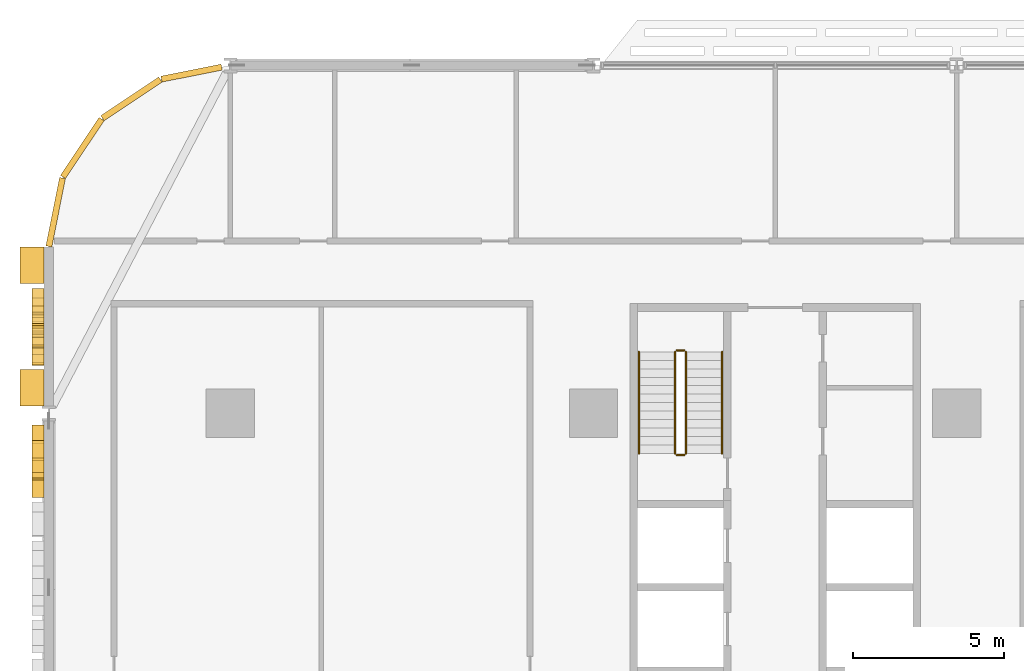
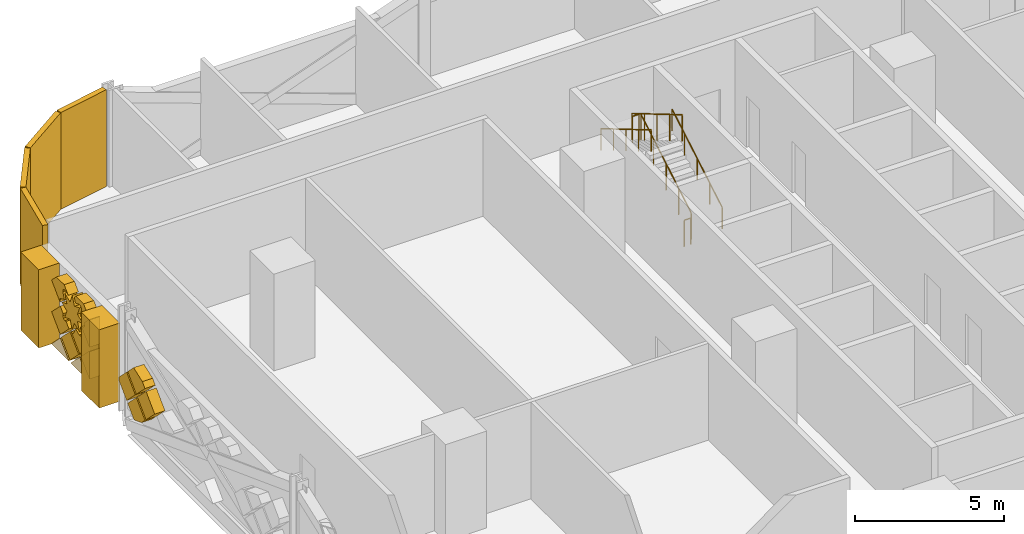
# One storey, part 24 of 28: 20 coverings, 6 railings.
"""IFC4 building model written with IfcOpenShell, lengths in metres."""

from ifc_helpers import new_model, si_unit, direction, frame, origin, origin_2d, place, context, subcontext, project, spatial, polyline, rectangle, circle, outline, extrude, material, layer, layer_set, type_object, element, save


model = new_model("IFC4")

# Units and contexts
model_context = context("Model", 3, precision=1e-05, world=origin(), true_north=direction((0.0, 1.0)))
body_context = subcontext(model_context, "Body", "Model", "MODEL_VIEW")
ifc_project = project(units=[si_unit("LENGTHUNIT", "METRE"), si_unit("AREAUNIT", "SQUARE_METRE"), si_unit("VOLUMEUNIT", "CUBIC_METRE"), si_unit("PLANEANGLEUNIT", "RADIAN"), si_unit("MASSUNIT", "GRAM", prefix="KILO")], contexts=[model_context])

# Site, building, storey
site_placement = place(None, origin())
site = spatial("IfcSite", under=ifc_project, at=site_placement, CompositionType="ELEMENT")
building_placement = place(site_placement, origin())
building = spatial("IfcBuilding", under=site, at=building_placement, Name="Mahtab Terrace Research Tower", CompositionType="ELEMENT")
storey_placement = place(building_placement, frame((0.0, 0.0, 33.0)))
storey = spatial("IfcBuildingStorey", under=building, at=storey_placement, Name="L07", CompositionType="ELEMENT", Elevation=33.0)

# Coverings
ifc_material_1 = material(Name="Black aluminium cladding panel", Category="aluminium")
ifc_layer_1 = layer(ifc_material_1, 0.199951171875)
ifc_layer_set_1 = layer_set([ifc_layer_1], Name="Black metal corner cladding 200")
covering_type_1 = type_object("IfcCoveringType", Name="Black metal corner cladding 200", PredefinedType="CLADDING", material=ifc_layer_set_1)
covering_1_placement = place(storey_placement, frame((-43.28173828125, 22.744873046875, 0.0), z_axis=(0.0, 0.0, 1.0), x_axis=(-0.980760981187, -0.195212442692, 0.0)))
element("IfcCovering", 1, at=covering_1_placement, inside=storey, type_object=covering_type_1, Name="Corner cladding L07 10", PredefinedType="CLADDING", context=body_context, shape_type="SweptSolid", body=[
    extrude(rectangle(XDim=2.0283203125, YDim=0.199951171875, at=origin_2d()), origin(), (0.0, 0.0, 1.0), 3.9599609375),
])
for number, where, z_axis, x_axis, name in (
    (2, (-45.26953125, 21.89306640625, 0.0), (0.0, 0.0, 1.0), (-0.831655794326, -0.555291490808, 0.0), "Corner cladding L07 11"),
    (3, (-46.89306640625, 20.26953125, 0.0), (0.0, 0.0, 1.0), (-0.555291490808, -0.831655794326, 0.0), "Corner cladding L07 12"),
    (4, (-47.771484375, 18.14794921875, 0.0), (0.0, 0.0, 1.0), (-0.195212442692, -0.980760981187, 0.0), "Corner cladding L07 13"),
):
    element("IfcCovering", number, at=place(storey_placement, frame(where, z_axis=z_axis, x_axis=x_axis)), inside=storey, type_object=covering_type_1, Name=name, PredefinedType="CLADDING", context=body_context, shape_type="SweptSolid", body=[
        extrude(rectangle(XDim=2.30126953125, YDim=0.199951171875, at=origin_2d()), origin(), (0.0, 0.0, 1.0), 3.9599609375),
    ])
ifc_material_2 = material(Name="Bronze anodised aluminium", Category="aluminium")
ifc_layer_2 = layer(ifc_material_2, 0.39990234375)
ifc_layer_set_2 = layer_set([ifc_layer_2], Name="Mashrabiya relief panel 400")
covering_type_2 = type_object("IfcCoveringType", Name="Mashrabiya relief panel 400", PredefinedType="CLADDING", material=ifc_layer_set_2)
covering_2_placement = place(storey_placement, frame((-48.14990234375, 14.10498046875, 2.60107421875), z_axis=(1.0, 0.0, 0.0), x_axis=(0.0, -0.924784909208, 0.380490304346)))
element("IfcCovering", 5, at=covering_2_placement, inside=storey, type_object=covering_type_2, Name="Girih star panel L07 W14.1", PredefinedType="CLADDING", context=body_context, shape_type="SweptSolid", body=[
    extrude(outline(polyline([(0.0, 0.0), (0.3785719822676483, 0.0), (0.11215445471266995, 0.26895807623038387), (0.37961207055159285, 0.5358142483447127), (0.0017974035497291263, 0.5371818243111587), (0.0017974035497291263, 0.9157538065788071), (-0.26716067268065474, 0.6493362790238286), (-0.5340168447949836, 0.9167938948627515), (-0.5353844207614296, 0.5389792278608878), (-0.9139564030290779, 0.5389792278608878), (-0.6475388754740995, 0.270021151630504), (-0.9149964913130224, 0.0031649795161750593), (-0.5371818243111587, 0.0017974035497291263), (-0.5371818243111587, -0.3767745787179192), (-0.2682237480807748, -0.11035705116294083), (-0.0013675759664459608, -0.3778146670018637), (0.0, 0.0)])), origin(), (0.0, 0.0, -1.0), 0.39990234375),
])
covering_3_placement = place(storey_placement, frame((-48.14990234375, 15.6298828125, 0.14990234375), z_axis=(1.0, 0.0, 0.0), x_axis=(0.0, -0.706957932274, 0.707255598772)))
element("IfcCovering", 6, at=covering_3_placement, inside=storey, type_object=covering_type_2, Name="Mashrabiya lattice cell L07 W14.2", PredefinedType="CLADDING", context=body_context, shape_type="SweptSolid", body=[
    extrude(outline(polyline([(0.0, 0.0), (0.8201817362875763, 0.0), (0.8200090664636573, 0.8203543334390104), (0.7987751838156829, 0.8201772305935179), (-4.43302157367674e-06, 0.021061285496540252), (0.0, 0.0)])), origin(), (0.0, 0.0, -1.0), 0.39990234375),
])
covering_4_placement = place(storey_placement, frame((-48.14990234375, 14.469970703125, 1.449951171875), z_axis=(1.0, 0.0, 0.0), x_axis=(0.0, 0.707255598772, -0.706957932274)))
element("IfcCovering", 7, at=covering_4_placement, inside=storey, type_object=covering_type_2, Name="Mashrabiya lattice cell L07 W14.3", PredefinedType="CLADDING", context=body_context, shape_type="SweptSolid", body=[
    extrude(outline(polyline([(0.0, 0.0), (0.8201817362875763, 0.0), (0.8203543334390104, 0.8200090664636573), (0.00017266982391900276, 0.8203543334390104), (0.00011518588843079103, 0.5472481559346933), (0.08417653916049625, 0.4942319794679374), (0.11402400074357985, 0.4080815829473978), (0.08206910977336403, 0.3240157966537586), (5.7483935488156224e-05, 0.27310617750431704), (0.0, 0.0)])), origin(), (0.0, 0.0, -1.0), 0.39990234375),
])
covering_5_placement = place(storey_placement, frame((-48.14990234375, 15.6298828125, 2.75), z_axis=(1.0, 0.0, 0.0), x_axis=(0.0, -0.706835286964, 0.707378171209)))
element("IfcCovering", 8, at=covering_5_placement, inside=storey, type_object=covering_type_2, Name="Mashrabiya lattice cell L07 W14.4", PredefinedType="CLADDING", context=body_context, shape_type="SweptSolid", body=[
    extrude(outline(polyline([(0.0, 0.0), (0.44971027849414613, 0.0), (0.8200395084317461, 0.3706136609897794), (0.819892388921998, 0.7538599838832514), (0.7272681987663545, 0.5454557879782264), (0.6751481302859101, 0.5057300743037028), (0.619909790899303, 0.4943150582883476), (0.5568922754895989, 0.5106910502044836), (0.510955732781931, 0.5524507242362976), (0.40330905019983293, 0.802555348748941), (0.12903401563658623, 0.6993878588082236), (0.05047683633462874, 0.722663225571144), (-0.0004755538747529542, 0.7891075652371851), (0.0, 0.0)])), origin(), (0.0, 0.0, -1.0), 0.39990234375),
])
covering_6_placement = place(storey_placement, frame((-48.14990234375, 14.39990234375, 1.3798828125), z_axis=(1.0, 0.0, 0.0), x_axis=(0.0, -0.707106781187, -0.707106781187)))
element("IfcCovering", 9, at=covering_6_placement, inside=storey, type_object=covering_type_2, Name="Mashrabiya lattice cell L07 W14.5", PredefinedType="CLADDING", context=body_context, shape_type="SweptSolid", body=[
    extrude(outline(polyline([(0.0, 0.0), (0.8200090846279543, 0.0), (0.820181718119455, 0.820181718119455), (-0.0001726334915006511, 0.820181718119455), (0.0, 0.0)])), origin(), (0.0, 0.0, -1.0), 0.39990234375),
])
covering_7_placement = place(storey_placement, frame((-48.14990234375, 14.330078125, 0.14990234375), z_axis=(1.0, 0.0, 0.0), x_axis=(0.0, -0.707106781187, 0.707106781187)))
element("IfcCovering", 10, at=covering_7_placement, inside=storey, type_object=covering_type_2, Name="Mashrabiya lattice cell L07 W14.6", PredefinedType="CLADDING", context=body_context, shape_type="SweptSolid", body=[
    extrude(outline(polyline([(0.0, 0.0), (0.8203543516109556, 0.0), (0.8203543516109556, 0.8203543516109556), (0.7991204321563791, 0.820181718119455), (0.00017263349150062335, 0.021233919454576502), (0.0, 0.0)])), origin(), (0.0, 0.0, -1.0), 0.39990234375),
])
covering_8_placement = place(storey_placement, frame((-48.14990234375, 13.169921875, 1.449951171875), z_axis=(1.0, 0.0, 0.0), x_axis=(0.0, 0.707255598772, -0.706957932274)))
element("IfcCovering", 11, at=covering_8_placement, inside=storey, type_object=covering_type_2, Name="Mashrabiya lattice cell L07 W14.7", PredefinedType="CLADDING", context=body_context, shape_type="SweptSolid", body=[
    extrude(outline(polyline([(0.0, 0.0), (0.8201817362875763, 0.0), (0.8205204627392961, 0.7891076358333108), (0.7695795944213842, 0.7226544622693455), (0.6910264521358248, 0.6993654744233052), (0.4167335329544889, 0.8024854048553962), (0.3091302189167444, 0.5523621186910813), (0.26043849133135283, 0.5092139935923002), (0.2001862428791442, 0.4942075615130398), (0.13579711322887691, 0.5092402283593183), (0.09281896907207673, 0.5453296750080786), (0.00015864403434978636, 0.7537178071958586), (0.0, 0.0)])), origin(), (0.0, 0.0, -1.0), 0.39990234375),
])
covering_9_placement = place(storey_placement, frame((-48.14990234375, 13.169921875, 2.75), z_axis=(1.0, 0.0, 0.0), x_axis=(0.0, 0.707106781187, -0.707106781187)))
element("IfcCovering", 12, at=covering_9_placement, inside=storey, type_object=covering_type_2, Name="Mashrabiya lattice cell L07 W14.8", PredefinedType="CLADDING", context=body_context, shape_type="SweptSolid", body=[
    extrude(outline(polyline([(0.0, 0.0), (0.5106498678588398, 0.0), (0.5904065409321271, 0.1916231755656904), (0.3402606117477259, 0.29917384077057785), (0.29710223887257037, 0.34785648537375324), (0.2820831251120163, 0.4122487777034852), (0.2971022388725704, 0.4724978662372023), (0.34026061174772587, 0.5211805108403778), (0.5904065409321271, 0.6287311760452652), (0.5106498678588398, 0.8203543516109555), (0.37047147276033476, 0.8203543516109556), (0.0, 0.44988287885062084), (0.0, 0.0)])), origin(), (0.0, 0.0, -1.0), 0.39990234375),
])
covering_10_placement = place(storey_placement, frame((-48.14990234375, 13.10009765625, 0.219970703125), z_axis=(1.0, 0.0, 0.0), x_axis=(0.0, 0.706957932274, 0.707255598772)))
element("IfcCovering", 13, at=covering_10_placement, inside=storey, type_object=covering_type_2, Name="Mashrabiya lattice cell L07 W14.9", PredefinedType="CLADDING", context=body_context, shape_type="SweptSolid", body=[
    extrude(outline(polyline([(0.0, 0.0), (0.8201817362875763, 0.0), (0.8203543334390104, 0.8200090664636573), (0.7977393828896235, 0.8201864599990892), (4.796383997748149e-06, 0.022787620373305846), (0.0, 0.0)])), origin(), (0.0, 0.0, -1.0), 0.39990234375),
])
covering_11_placement = place(storey_placement, frame((-48.14990234375, 13.10009765625, 1.52001953125), z_axis=(1.0, 0.0, 0.0), x_axis=(0.0, 0.707106781187, 0.707106781187)))
element("IfcCovering", 14, at=covering_11_placement, inside=storey, type_object=covering_type_2, Name="Mashrabiya lattice cell L07 W14.10", PredefinedType="CLADDING", context=body_context, shape_type="SweptSolid", body=[
    extrude(outline(polyline([(0.0, 0.0), (0.7692548381267715, 0.0), (0.705553079763042, 0.15692384377406537), (0.7000288080350221, 0.20940442519025443), (0.737490275690657, 0.2920958676190523), (0.820181718119455, 0.3323194711386973), (0.820181718119455, 0.820181718119455), (0.7975667307328734, 0.8203543516109556), (-0.00017263349150062161, 0.022614987386581478), (0.0, 0.0)])), origin(), (0.0, 0.0, -1.0), 0.39990234375),
])
covering_12_placement = place(storey_placement, frame((-48.14990234375, 10.60107421875, 2.030029296875), z_axis=(1.0, 0.0, 0.0), x_axis=(0.0, -0.707106781187, -0.707106781187)))
element("IfcCovering", 15, at=covering_12_placement, inside=storey, type_object=covering_type_2, Name="Mashrabiya lattice cell L07 W15.1", PredefinedType="CLADDING", context=body_context, shape_type="SweptSolid", body=[
    extrude(outline(polyline([(0.0, 0.0), (0.8203543516109556, 0.0), (0.820181718119455, 0.820181718119455), (0.0920136509698315, 0.820181718119455), (0.0001726334915005956, 0.728340700641124), (0.0, 0.0)])), origin(), (0.0, 0.0, -1.0), 0.39990234375),
])
covering_13_placement = place(storey_placement, frame((-48.14990234375, 10.531005859375, 0.800048828125), z_axis=(1.0, 0.0, 0.0), x_axis=(0.0, -0.707255598772, 0.706957932274)))
element("IfcCovering", 16, at=covering_13_placement, inside=storey, type_object=covering_type_2, Name="Mashrabiya lattice cell L07 W15.2", PredefinedType="CLADDING", context=body_context, shape_type="SweptSolid", body=[
    extrude(outline(polyline([(0.0, 0.0), (0.8201817362875763, 0.0), (0.8203543334390104, 0.8200090664636573), (0.4866538380964635, 0.820251937907907), (0.00012594141618332833, 0.5983476682869551), (0.0, 0.0)])), origin(), (0.0, 0.0, -1.0), 0.39990234375),
])
covering_14_placement = place(storey_placement, frame((-48.14990234375, 9.37109375, 2.10009765625), z_axis=(1.0, 0.0, 0.0), x_axis=(0.0, 0.706957932274, -0.707255598772)))
element("IfcCovering", 17, at=covering_14_placement, inside=storey, type_object=covering_type_2, Name="Mashrabiya lattice cell L07 W15.3", PredefinedType="CLADDING", context=body_context, shape_type="SweptSolid", body=[
    extrude(outline(polyline([(0.0, 0.0), (0.8201817362875763, 0.0), (0.8200090664636573, 0.8203543334390104), (0.2599860324408986, 0.8202364586686415), (-5.268755149043236e-05, 0.25031855713101114), (0.0, 0.0)])), origin(), (0.0, 0.0, -1.0), 0.39990234375),
])
covering_15_placement = place(storey_placement, frame((-48.14990234375, 9.301025390625, 2.030029296875), z_axis=(1.0, 0.0, 0.0), x_axis=(0.0, -0.707106781187, -0.707106781187)))
element("IfcCovering", 18, at=covering_15_placement, inside=storey, type_object=covering_type_2, Name="Mashrabiya lattice cell L07 W15.4", PredefinedType="CLADDING", context=body_context, shape_type="SweptSolid", body=[
    extrude(outline(polyline([(0.0, 0.0), (0.8203543516109556, 0.0), (0.820181718119455, 0.820181718119455), (0.0, 0.8203543516109556), (0.0, 0.0)])), origin(), (0.0, 0.0, -1.0), 0.39990234375),
])
ifc_material_3 = material(Name="Glazed ceramic tile cladding", Category="masonry")
ifc_layer_3 = layer(ifc_material_3, 0.800048828125)
ifc_layer_set_3 = layer_set([ifc_layer_3], Name="Pishtaq frame pier 800")
covering_type_3 = type_object("IfcCoveringType", Name="Pishtaq frame pier 800", PredefinedType="CLADDING", material=ifc_layer_set_3)
for number, where, z_axis, x_axis, name in (
    (19, (-48.550048828125, 16.39990234375, 0.00048828125), (0.0, 0.0, 1.0), (0.0, -1.0, 0.0), "Pishtaq frame pier 14a"),
    (20, (-48.550048828125, 12.34912109375, 0.00048828125), (0.0, 0.0, 1.0), (0.0, -1.0, 0.0), "Pishtaq frame pier 14b"),
):
    element("IfcCovering", number, at=place(storey_placement, frame(where, z_axis=z_axis, x_axis=x_axis)), inside=storey, type_object=covering_type_3, Name=name, PredefinedType="CLADDING", context=body_context, shape_type="SweptSolid", body=[
        extrude(rectangle(XDim=1.199951171875, YDim=0.800048828125, at=origin_2d()), origin(), (0.0, 0.0, 1.0), 3.202880859375),
    ])

# Railings
ifc_material_4 = material(Name="Stainless steel AISI 304", Category="steel")
railing_type_1 = type_object("IfcRailingType", Name="Stair guard 1100", PredefinedType="GUARDRAIL", material=ifc_material_4)
railing_1_placement = place(storey_placement, frame((-26.949951171875, 10.175048828125, 0.165283203125)))
element("IfcRailing", 21, at=railing_1_placement, inside=storey, type_object=railing_type_1, Name="L07 ST1 stair guard 1", PredefinedType="GUARDRAIL", context=body_context, shape_type="SweptSolid", body=[
    extrude(circle(Radius=0.02392578125, at=origin_2d()), frame((0.0, 0.0, 1.076171875), z_axis=(0.0, 0.861011212953, 0.508585972249), x_axis=(-1.0, 0.0, 0.0)), (0.0, 0.0, 1.0), 3.90234375),
    extrude(circle(Radius=0.02099609375, at=origin_2d()), origin(), (0.0, 0.0, 1.0), 1.052001953125),
    extrude(circle(Radius=0.02099609375, at=origin_2d()), frame((0.0, 0.83984375, 0.49609375)), (0.0, 0.0, 1.0), 1.052001953125),
    extrude(circle(Radius=0.02099609375, at=origin_2d()), frame((0.0, 1.679931640625, 0.9921875)), (0.0, 0.0, 1.0), 1.052001953125),
    extrude(circle(Radius=0.02099609375, at=origin_2d()), frame((0.0, 2.52001953125, 1.488525390625)), (0.0, 0.0, 1.0), 1.052001953125),
    extrude(circle(Radius=0.02099609375, at=origin_2d()), frame((0.0, 3.35986328125, 1.984619140625)), (0.0, 0.0, 1.0), 1.052001953125),
])
railing_2_placement = place(storey_placement, frame((-27.0, 13.5849609375, 2.14990234375)))
element("IfcRailing", 22, at=railing_2_placement, inside=storey, type_object=railing_type_1, Name="L07 ST1 stair guard 2", PredefinedType="GUARDRAIL", context=body_context, shape_type="SweptSolid", body=[
    extrude(circle(Radius=0.02392578125, at=origin_2d()), frame((0.0, 0.0, 1.076171875), z_axis=(-1.0, 0.0, 0.0), x_axis=(0.0, -1.0, 0.0)), (0.0, 0.0, 1.0), 0.25),
    extrude(circle(Radius=0.02099609375, at=origin_2d()), origin(), (0.0, 0.0, 1.0), 1.052001953125),
    extrude(circle(Radius=0.02099609375, at=origin_2d()), frame((-0.25, 0.0, 0.0)), (0.0, 0.0, 1.0), 1.052001953125),
])
railing_3_placement = place(storey_placement, frame((-27.300048828125, 13.534912109375, 2.3154296875)))
element("IfcRailing", 23, at=railing_3_placement, inside=storey, type_object=railing_type_1, Name="L07 ST1 stair guard 3", PredefinedType="GUARDRAIL", context=body_context, shape_type="SweptSolid", body=[
    extrude(circle(Radius=0.02392578125, at=origin_2d()), frame((0.0, 0.0, 1.076171875), z_axis=(0.0, -0.861011212953, 0.508585972249), x_axis=(1.0, 0.0, 0.0)), (0.0, 0.0, 1.0), 3.90234375),
    extrude(circle(Radius=0.02099609375, at=origin_2d()), origin(), (0.0, 0.0, 1.0), 1.052001953125),
    extrude(circle(Radius=0.02099609375, at=origin_2d()), frame((0.0, -0.83984375, 0.49609375)), (0.0, 0.0, 1.0), 1.052001953125),
    extrude(circle(Radius=0.02099609375, at=origin_2d()), frame((0.0, -1.679931640625, 0.9921875)), (0.0, 0.0, 1.0), 1.052001953125),
    extrude(circle(Radius=0.02099609375, at=origin_2d()), frame((0.0, -2.52001953125, 1.488525390625)), (0.0, 0.0, 1.0), 1.052001953125),
    extrude(circle(Radius=0.02099609375, at=origin_2d()), frame((0.0, -3.35986328125, 1.984619140625)), (0.0, 0.0, 1.0), 1.052001953125),
])
railing_4_placement = place(storey_placement, frame((-27.0, 10.125, 0.0)))
element("IfcRailing", 24, at=railing_4_placement, inside=storey, type_object=railing_type_1, Name="L07 ST1 stair guard 4", PredefinedType="GUARDRAIL", context=body_context, shape_type="SweptSolid", body=[
    extrude(circle(Radius=0.02392578125, at=origin_2d()), frame((0.0, 0.0, 1.076171875), z_axis=(-1.0, 0.0, 0.0), x_axis=(0.0, -1.0, 0.0)), (0.0, 0.0, 1.0), 0.25),
    extrude(circle(Radius=0.02099609375, at=origin_2d()), origin(), (0.0, 0.0, 1.0), 1.052001953125),
    extrude(circle(Radius=0.02099609375, at=origin_2d()), frame((-0.25, 0.0, 0.0)), (0.0, 0.0, 1.0), 1.052001953125),
])
railing_type_2 = type_object("IfcRailingType", Name="Stair handrail 900", PredefinedType="HANDRAIL", material=ifc_material_4)
railing_5_placement = place(storey_placement, frame((-25.75, 10.175048828125, 0.165283203125)))
element("IfcRailing", 25, at=railing_5_placement, inside=storey, type_object=railing_type_2, Name="L07 ST1 stair handrail 1", PredefinedType="HANDRAIL", context=body_context, shape_type="SweptSolid", body=[
    extrude(circle(Radius=0.02392578125, at=origin_2d()), frame((0.0, 0.0, 0.8759765625), z_axis=(0.0, 0.861011212953, 0.508585972249), x_axis=(-1.0, 0.0, 0.0)), (0.0, 0.0, 1.0), 3.90234375),
    extrude(circle(Radius=0.02099609375, at=origin_2d()), origin(), (0.0, 0.0, 1.0), 0.851806640625),
    extrude(circle(Radius=0.02099609375, at=origin_2d()), frame((0.0, 0.83984375, 0.49609375)), (0.0, 0.0, 1.0), 0.851806640625),
    extrude(circle(Radius=0.02099609375, at=origin_2d()), frame((0.0, 1.679931640625, 0.9921875)), (0.0, 0.0, 1.0), 0.851806640625),
    extrude(circle(Radius=0.02099609375, at=origin_2d()), frame((0.0, 2.52001953125, 1.488525390625)), (0.0, 0.0, 1.0), 0.851806640625),
    extrude(circle(Radius=0.02099609375, at=origin_2d()), frame((0.0, 3.35986328125, 1.984619140625)), (0.0, 0.0, 1.0), 0.851806640625),
])
railing_6_placement = place(storey_placement, frame((-28.5, 13.534912109375, 2.3154296875)))
element("IfcRailing", 26, at=railing_6_placement, inside=storey, type_object=railing_type_2, Name="L07 ST1 stair handrail 2", PredefinedType="HANDRAIL", context=body_context, shape_type="SweptSolid", body=[
    extrude(circle(Radius=0.02392578125, at=origin_2d()), frame((0.0, 0.0, 0.8759765625), z_axis=(0.0, -0.861011212953, 0.508585972249), x_axis=(1.0, 0.0, 0.0)), (0.0, 0.0, 1.0), 3.90234375),
    extrude(circle(Radius=0.02099609375, at=origin_2d()), origin(), (0.0, 0.0, 1.0), 0.851806640625),
    extrude(circle(Radius=0.02099609375, at=origin_2d()), frame((0.0, -0.83984375, 0.49609375)), (0.0, 0.0, 1.0), 0.851806640625),
    extrude(circle(Radius=0.02099609375, at=origin_2d()), frame((0.0, -1.679931640625, 0.9921875)), (0.0, 0.0, 1.0), 0.851806640625),
    extrude(circle(Radius=0.02099609375, at=origin_2d()), frame((0.0, -2.52001953125, 1.488525390625)), (0.0, 0.0, 1.0), 0.851806640625),
    extrude(circle(Radius=0.02099609375, at=origin_2d()), frame((0.0, -3.35986328125, 1.984619140625)), (0.0, 0.0, 1.0), 0.851806640625),
])

save(model, "model.ifc")
